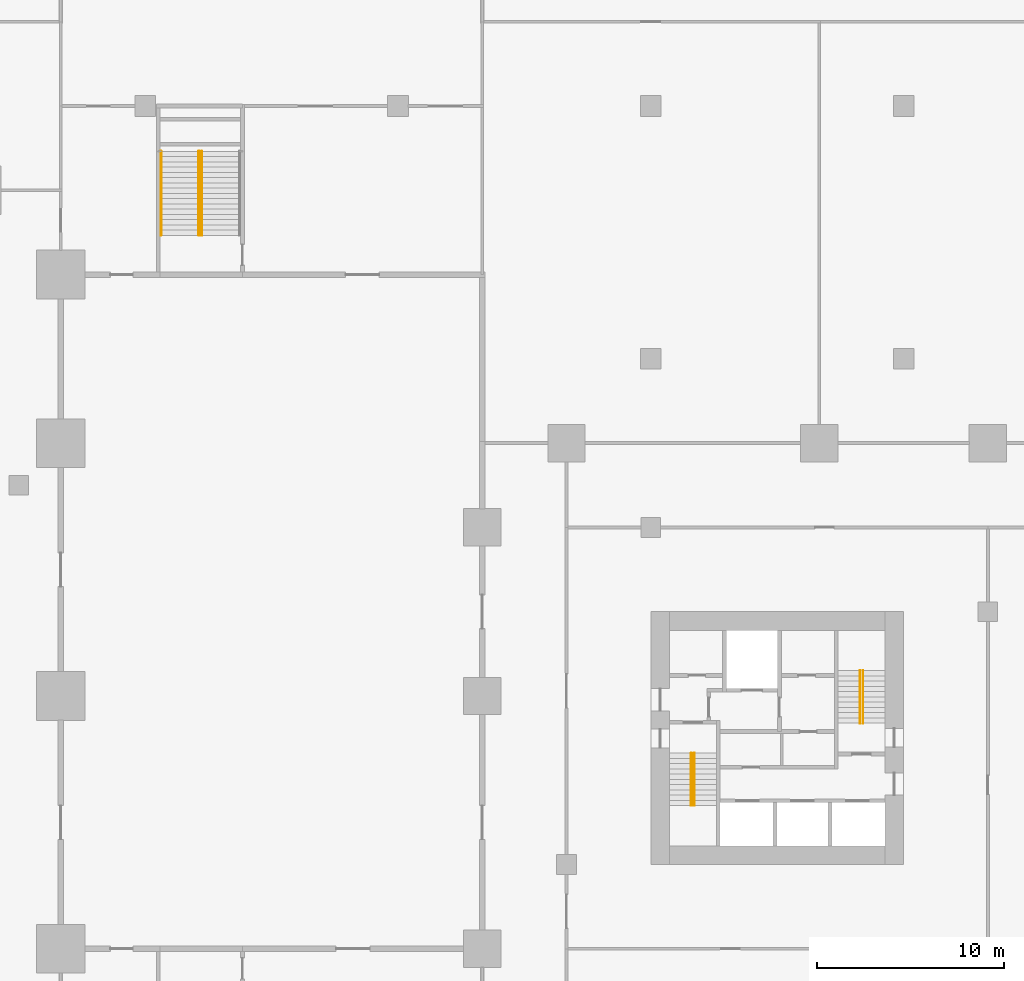
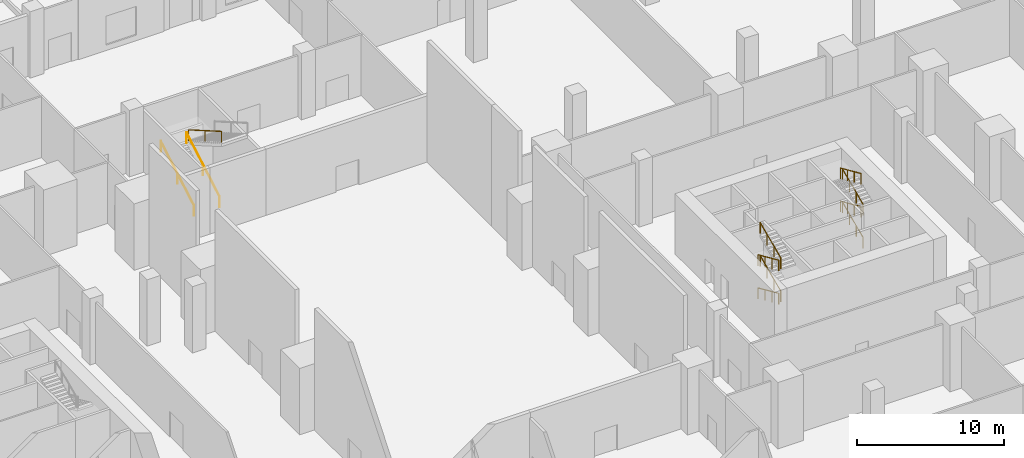
# One storey, part 45 of 47: 11 railings.
"""IFC4 building model written with IfcOpenShell, lengths in metres."""

from ifc_helpers import new_model, si_unit, direction, frame, origin, origin_2d, place, context, subcontext, project, spatial, circle, extrude, source, transform, mapped, material, type_object, element, save


model = new_model("IFC4")

# Units and contexts
model_context = context("Model", 3, precision=1e-05, world=origin(), true_north=direction((0.0, 1.0)))
body_context = subcontext(model_context, "Body", "Model", "MODEL_VIEW")
ifc_project = project(units=[si_unit("LENGTHUNIT", "METRE"), si_unit("AREAUNIT", "SQUARE_METRE"), si_unit("VOLUMEUNIT", "CUBIC_METRE"), si_unit("PLANEANGLEUNIT", "RADIAN"), si_unit("MASSUNIT", "GRAM", prefix="KILO")], contexts=[model_context])

# Site, building, storey
site_placement = place(None, origin())
site = spatial("IfcSite", under=ifc_project, at=site_placement, CompositionType="ELEMENT")
building_placement = place(site_placement, origin())
building = spatial("IfcBuilding", under=site, at=building_placement, Name="Altepetl Exchange Towers", CompositionType="ELEMENT")
storey_placement = place(building_placement, frame((0.0, 0.0, 6.0)))
storey = spatial("IfcBuildingStorey", under=building, at=storey_placement, Name="L01 Retail podium", CompositionType="ELEMENT", Elevation=6.0)

# Railings
ifc_material_1 = material(Name="Steel", Category="steel")
railing_type_1 = type_object("IfcRailingType", Name="Stair handrail 50 steel tube", PredefinedType="HANDRAIL", material=ifc_material_1)
shared_shape_1 = source(origin(), body_context, "Body", "SweptSolid", [
    extrude(circle(Radius=0.02099609375, at=origin_2d()), origin(), (0.0, 0.0, 1.0), 0.851806640625),
])
railing_1_placement = place(storey_placement, frame((105.669921875, 41.949951171875, 0.125)))
element("IfcRailing", 1, at=railing_1_placement, inside=storey, type_object=railing_type_1, Name="Stair handrail", PredefinedType="HANDRAIL", context=body_context, shape_type="SweptSolid", body=[
    extrude(circle(Radius=0.02392578125, at=origin_2d()), frame((0.0, 0.0, 0.8759765625), z_axis=(0.0, -0.913140528594, 0.407644912931), x_axis=(1.0, 0.0, 0.0)), (0.0, 0.0, 1.0), 3.06640625),
    mapped(shared_shape_1, transform((0.0, 0.0, 0.0))),
    mapped(shared_shape_1, transform((0.0, -0.933349609375, 0.416748046875))),
    mapped(shared_shape_1, transform((0.0, -1.86669921875, 0.833251953125))),
    mapped(shared_shape_1, transform((0.0, -2.800048828125, 1.25))),
])
railing_2_placement = place(storey_placement, frame((105.830078125, 39.14990234375, 1.5)))
element("IfcRailing", 2, at=railing_2_placement, inside=storey, type_object=railing_type_1, Name="Stair handrail", PredefinedType="HANDRAIL", context=body_context, shape_type="SweptSolid", body=[
    extrude(circle(Radius=0.02392578125, at=origin_2d()), frame((0.0, 0.0, 0.8759765625), z_axis=(0.0, 0.913140528594, 0.407644912931), x_axis=(-1.0, 0.0, 0.0)), (0.0, 0.0, 1.0), 3.06640625),
    mapped(shared_shape_1, transform((0.0, 0.0, 0.0))),
    mapped(shared_shape_1, transform((0.0, 0.933349609375, 0.416748046875))),
    mapped(shared_shape_1, transform((0.0, 1.86669921875, 0.833251953125))),
    mapped(shared_shape_1, transform((0.0, 2.800048828125, 1.25))),
])
railing_3_placement = place(storey_placement, frame((105.669921875, 41.949951171875, 2.875)))
element("IfcRailing", 3, at=railing_3_placement, inside=storey, type_object=railing_type_1, Name="Stair handrail", PredefinedType="HANDRAIL", context=body_context, shape_type="SweptSolid", body=[
    extrude(circle(Radius=0.02392578125, at=origin_2d()), frame((0.0, 0.0, 0.8759765625), z_axis=(0.0, -0.913140528594, 0.407644912931), x_axis=(1.0, 0.0, 0.0)), (0.0, 0.0, 1.0), 3.06640625),
    mapped(shared_shape_1, transform((0.0, 0.0, 0.0))),
    mapped(shared_shape_1, transform((0.0, -0.933349609375, 0.416748046875))),
    mapped(shared_shape_1, transform((0.0, -1.86669921875, 0.833251953125))),
    mapped(shared_shape_1, transform((0.0, -2.800048828125, 1.25))),
])
for number, where, name in (
    (4, (105.830078125, 39.14990234375, 4.25), "Stair handrail"),
    (5, (114.830078125, 43.550048828125, 0.125), "Stair handrail"),
):
    element("IfcRailing", number, at=place(storey_placement, frame(where)), inside=storey, type_object=railing_type_1, Name=name, PredefinedType="HANDRAIL", context=body_context, shape_type="SweptSolid", body=[
        extrude(circle(Radius=0.02392578125, at=origin_2d()), frame((0.0, 0.0, 0.8759765625), z_axis=(0.0, 0.913140528594, 0.407644912931), x_axis=(-1.0, 0.0, 0.0)), (0.0, 0.0, 1.0), 3.06640625),
        mapped(shared_shape_1, transform((0.0, 0.0, 0.0))),
        mapped(shared_shape_1, transform((0.0, 0.933349609375, 0.416748046875))),
        mapped(shared_shape_1, transform((0.0, 1.86669921875, 0.833251953125))),
        mapped(shared_shape_1, transform((0.0, 2.800048828125, 1.25))),
    ])
railing_4_placement = place(storey_placement, frame((114.669921875, 46.35009765625, 1.5)))
element("IfcRailing", 6, at=railing_4_placement, inside=storey, type_object=railing_type_1, Name="Stair handrail", PredefinedType="HANDRAIL", context=body_context, shape_type="SweptSolid", body=[
    extrude(circle(Radius=0.02392578125, at=origin_2d()), frame((0.0, 0.0, 0.8759765625), z_axis=(0.0, -0.913140528594, 0.407644912931), x_axis=(1.0, 0.0, 0.0)), (0.0, 0.0, 1.0), 3.06640625),
    mapped(shared_shape_1, transform((0.0, 0.0, 0.0))),
    mapped(shared_shape_1, transform((0.0, -0.933349609375, 0.416748046875))),
    mapped(shared_shape_1, transform((0.0, -1.86669921875, 0.833251953125))),
    mapped(shared_shape_1, transform((0.0, -2.800048828125, 1.25))),
])
railing_5_placement = place(storey_placement, frame((114.830078125, 43.550048828125, 2.875)))
element("IfcRailing", 7, at=railing_5_placement, inside=storey, type_object=railing_type_1, Name="Stair handrail", PredefinedType="HANDRAIL", context=body_context, shape_type="SweptSolid", body=[
    extrude(circle(Radius=0.02392578125, at=origin_2d()), frame((0.0, 0.0, 0.8759765625), z_axis=(0.0, 0.913140528594, 0.407644912931), x_axis=(-1.0, 0.0, 0.0)), (0.0, 0.0, 1.0), 3.06640625),
    mapped(shared_shape_1, transform((0.0, 0.0, 0.0))),
    mapped(shared_shape_1, transform((0.0, 0.933349609375, 0.416748046875))),
    mapped(shared_shape_1, transform((0.0, 1.86669921875, 0.833251953125))),
    mapped(shared_shape_1, transform((0.0, 2.800048828125, 1.25))),
])
railing_6_placement = place(storey_placement, frame((114.669921875, 46.35009765625, 4.25)))
element("IfcRailing", 8, at=railing_6_placement, inside=storey, type_object=railing_type_1, Name="Stair handrail", PredefinedType="HANDRAIL", context=body_context, shape_type="SweptSolid", body=[
    extrude(circle(Radius=0.02392578125, at=origin_2d()), frame((0.0, 0.0, 0.8759765625), z_axis=(0.0, -0.913140528594, 0.407644912931), x_axis=(1.0, 0.0, 0.0)), (0.0, 0.0, 1.0), 3.06640625),
    mapped(shared_shape_1, transform((0.0, 0.0, 0.0))),
    mapped(shared_shape_1, transform((0.0, -0.933349609375, 0.416748046875))),
    mapped(shared_shape_1, transform((0.0, -1.86669921875, 0.833251953125))),
    mapped(shared_shape_1, transform((0.0, -2.800048828125, 1.25))),
])
ifc_material_2 = material(Name="Stainless steel", Category="steel")
railing_type_2 = type_object("IfcRailingType", Name="Stair handrail 900", PredefinedType="HANDRAIL", material=ifc_material_2)
shared_shape_2 = source(origin(), body_context, "Body", "SweptSolid", [
    extrude(circle(Radius=0.02001953125, at=origin_2d()), origin(), (0.0, 0.0, 1.0), 0.849853515625),
])
for number, where, name in (
    (9, (77.35009765625, 69.60009765625, 0.161865234375), "rail:P:L01:PX2:1a"),
    (10, (79.375, 69.60009765625, 0.161865234375), "rail:P:L01:PX2:1b"),
):
    element("IfcRailing", number, at=place(storey_placement, frame(where)), inside=storey, type_object=railing_type_2, Name=name, PredefinedType="HANDRAIL", context=body_context, shape_type="SweptSolid", body=[
        extrude(circle(Radius=0.02490234375, at=origin_2d()), frame((0.0, 0.0, 0.875), z_axis=(0.0, 0.865890054794, 0.500234358086), x_axis=(-1.0, 0.0, 0.0)), (0.0, 0.0, 1.0), 5.173828125),
        mapped(shared_shape_2, transform((0.0, 0.0, 0.0))),
        mapped(shared_shape_2, transform((0.0, 2.239990234375, 1.2939453125))),
        mapped(shared_shape_2, transform((0.0, 4.47998046875, 2.588134765625))),
    ])
railing_7_placement = place(storey_placement, frame((79.52490234375, 74.080078125, 2.911865234375)))
element("IfcRailing", 11, at=railing_7_placement, inside=storey, type_object=railing_type_2, Name="rail:P:L01:PX2:2a", PredefinedType="HANDRAIL", context=body_context, shape_type="SweptSolid", body=[
    extrude(circle(Radius=0.02490234375, at=origin_2d()), frame((0.0, 0.0, 0.875), z_axis=(0.0, -0.865890054794, 0.500234358086), x_axis=(1.0, 0.0, 0.0)), (0.0, 0.0, 1.0), 5.173828125),
    mapped(shared_shape_2, transform((0.0, 0.0, 0.0))),
    mapped(shared_shape_2, transform((0.0, -2.239990234375, 1.2939453125))),
    mapped(shared_shape_2, transform((0.0, -4.47998046875, 2.588134765625))),
])

save(model, "model.ifc")
